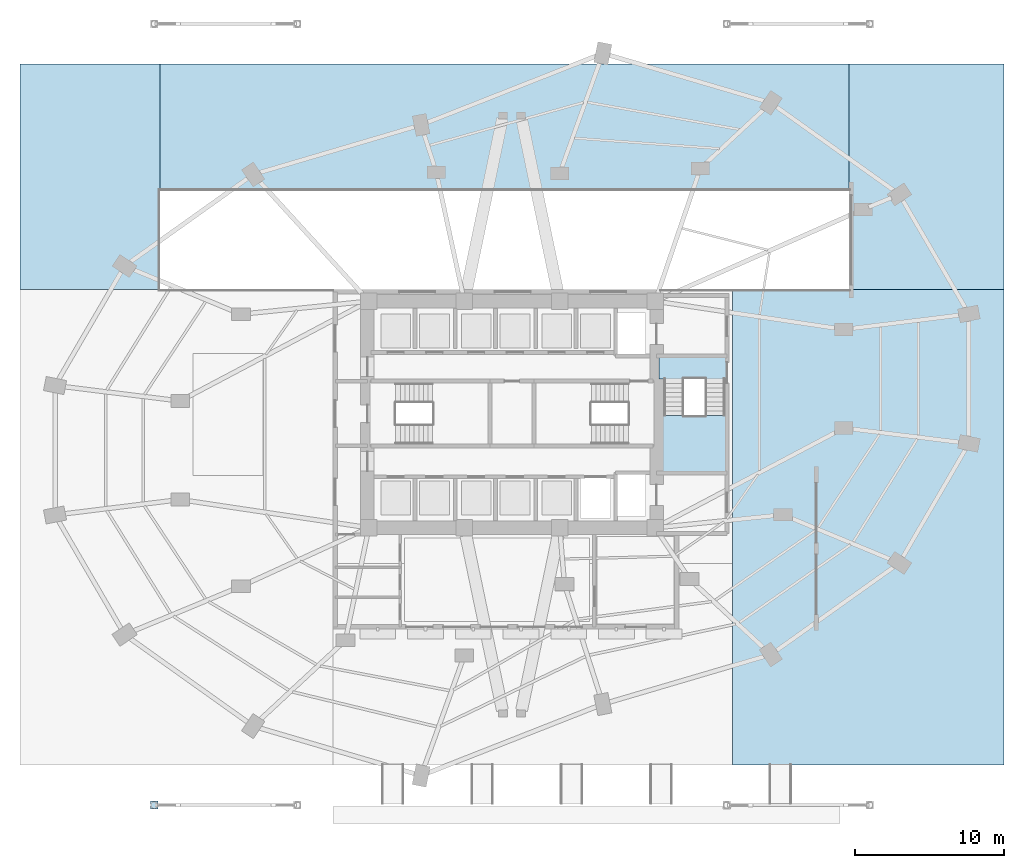
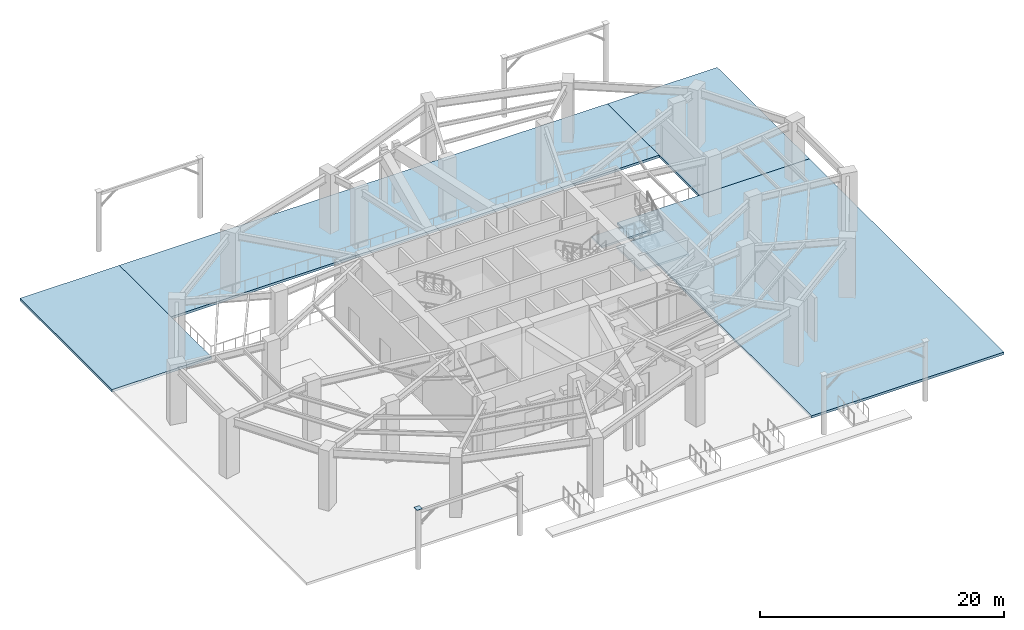
# One storey, part 7 of 14: 6 slabs, 1 plate, 1 element without a shape of its own.
"""IFC4 building model written with IfcOpenShell, lengths in metres."""

from ifc_helpers import new_model, si_unit, direction, frame, origin, origin_2d, place, context, subcontext, project, spatial, polyline, rectangle, outline, extrude, material, layer, layer_set, type_object, element, aggregate, save


model = new_model("IFC4")

# Units and contexts
model_context = context("Model", 3, precision=1e-05, world=origin(), true_north=direction((0.0, 1.0)))
body_context = subcontext(model_context, "Body", "Model", "MODEL_VIEW")
ifc_project = project(units=[si_unit("LENGTHUNIT", "METRE"), si_unit("AREAUNIT", "SQUARE_METRE"), si_unit("VOLUMEUNIT", "CUBIC_METRE"), si_unit("PLANEANGLEUNIT", "RADIAN"), si_unit("MASSUNIT", "GRAM", prefix="KILO")], contexts=[model_context])

# Site, building, storey
site_placement = place(None, origin())
site = spatial("IfcSite", under=ifc_project, at=site_placement, CompositionType="ELEMENT")
building_placement = place(site_placement, origin())
building = spatial("IfcBuilding", under=site, at=building_placement, Name="Lazwardi Medical Tower", CompositionType="ELEMENT")
storey_placement = place(building_placement, origin())
storey = spatial("IfcBuildingStorey", under=building, at=storey_placement, Name="L00", CompositionType="ELEMENT", Elevation=0.0)

# Plate
ifc_material_1 = material(Name="Steel S355", Category="steel")
ifc_layer_1 = layer(ifc_material_1, 0.031982421875)
ifc_layer_set_1 = layer_set([ifc_layer_1], Name="Steel S355")
plate_type = type_object("IfcPlateType", Name="PLT-GUS-02", PredefinedType="USERDEFINED", material=ifc_layer_set_1)
plate_placement = place(storey_placement, frame((12.0, 1.800048828125, 5.9677734375), z_axis=(0.0, 0.0, 1.0), x_axis=(1.0, 0.0, 0.0)))
element("IfcPlate", 1, at=plate_placement, inside=storey, type_object=plate_type, Name="Entrance canopy column cap plate GP-02 CN1", ObjectType="GUSSET_PLATE", PredefinedType="USERDEFINED", context=body_context, shape_type="SweptSolid", body=[
    extrude(rectangle(XDim=0.52001953125, YDim=0.52001953125, at=origin_2d()), origin(), (0.0, 0.0, 1.0), 0.031982421875),
])

# Stair, slabs
ifc_material_2 = material(Name="Concrete C45/55", Category="concrete")
stair_type = type_object("IfcStairType", Name="STR-L00", PredefinedType="HALF_TURN_STAIR", material=ifc_material_2)
stair_placement = place(storey_placement, origin())
stair = element("IfcStair", 2, at=stair_placement, inside=storey, type_object=stair_type, Name="L00 Protected Exit Stair ST3", PredefinedType="HALF_TURN_STAIR")
ifc_layer_2 = layer(ifc_material_2, 0.199951171875)
ifc_layer_set_2 = layer_set([ifc_layer_2], Name="Concrete C45/55")
slab_type_1 = type_object("IfcSlabType", Name="SLB-LND-190", PredefinedType="LANDING", material=ifc_layer_set_2)
slab_1_placement = place(storey_placement, frame((0.0, 0.0, 2.800048828125)))
slab_1 = element("IfcSlab", 3, at=slab_1_placement, type_object=slab_type_1, Name="ST3 landing 2", PredefinedType="LANDING", context=body_context, shape_type="SweptSolid", body=[
    extrude(outline(polyline([(45.860107421875, 32.02001953125), (45.860107421875, 30.375), (50.4599609375, 30.375), (50.4599609375, 32.02001953125), (45.860107421875, 32.02001953125)])), origin(), (0.0, 0.0, 1.0), 0.199951171875),
])
slab_2_placement = place(storey_placement, frame((0.0, 0.0, 4.300048828125)))
slab_2 = element("IfcSlab", 4, at=slab_2_placement, type_object=slab_type_1, Name="ST3 landing 3", PredefinedType="LANDING", context=body_context, shape_type="SweptSolid", body=[
    extrude(outline(polyline([(45.860107421875, 27.945068359375), (45.860107421875, 24.02001953125), (50.4599609375, 24.02001953125), (50.4599609375, 27.945068359375), (45.860107421875, 27.945068359375)])), origin(), (0.0, 0.0, 1.0), 0.199951171875),
])
aggregate(stair, [slab_1, slab_2])

# Slabs
ifc_material_3 = material(Name="Precast Concrete C35/45 granite paving", Category="masonry")
ifc_layer_3 = layer(ifc_material_3, 0.239990234375)
ifc_layer_set_3 = layer_set([ifc_layer_3], Name="Precast Concrete C35/45 granite paving")
slab_type_2 = type_object("IfcSlabType", Name="SLB-PAV-240", PredefinedType="USERDEFINED", material=ifc_layer_set_3)
slab_3_placement = place(storey_placement, frame((0.0, 0.0, -0.239990234375)))
element("IfcSlab", 5, at=slab_3_placement, inside=storey, type_object=slab_type_2, Name="L00 Tropical Plaza Paving NW 1", ObjectType="PAVING", PredefinedType="USERDEFINED", context=body_context, shape_type="SweptSolid", body=[
    extrude(outline(polyline([(12.39990234375, 43.0), (12.39990234375, 51.5), (3.0, 51.5), (3.0, 36.39990234375), (12.39990234375, 36.39990234375), (12.39990234375, 43.0)])), origin(), (0.0, 0.0, 1.0), 0.239990234375),
])
slab_4_placement = place(storey_placement, frame((0.0, 0.0, -0.239990234375)))
element("IfcSlab", 6, at=slab_4_placement, inside=storey, type_object=slab_type_2, Name="L00 Tropical Plaza Paving NORTH 1", ObjectType="PAVING", PredefinedType="USERDEFINED", context=body_context, shape_type="SweptSolid", body=[
    extrude(outline(polyline([(12.39990234375, 43.0), (58.60009765625, 43.0), (58.60009765625, 51.5), (12.39990234375, 51.5), (12.39990234375, 43.0)])), origin(), (0.0, 0.0, 1.0), 0.239990234375),
])
slab_5_placement = place(storey_placement, frame((0.0, 0.0, -0.239990234375)))
element("IfcSlab", 7, at=slab_5_placement, inside=storey, type_object=slab_type_2, Name="L00 Tropical Plaza Paving SE 1", ObjectType="PAVING", PredefinedType="USERDEFINED", context=body_context, shape_type="SweptSolid", body=[
    extrude(outline(polyline([(58.60009765625, 36.39990234375), (50.800048828125, 36.39990234375), (50.800048828125, 36.3798828125), (50.800048828125, 18.0), (50.800048828125, 4.5), (69.0, 4.5), (69.0, 36.39990234375), (58.60009765625, 36.39990234375)])), origin(), (0.0, 0.0, 1.0), 0.239990234375),
])
slab_6_placement = place(storey_placement, frame((0.0, 0.0, -0.239990234375)))
element("IfcSlab", 8, at=slab_6_placement, inside=storey, type_object=slab_type_2, Name="L00 Tropical Plaza Paving EAST_APRON 1", ObjectType="PAVING", PredefinedType="USERDEFINED", context=body_context, shape_type="SweptSolid", body=[
    extrude(outline(polyline([(58.60009765625, 43.0), (58.60009765625, 36.39990234375), (69.0, 36.39990234375), (69.0, 51.5), (58.60009765625, 51.5), (58.60009765625, 43.0)])), origin(), (0.0, 0.0, 1.0), 0.239990234375),
])

save(model, "model.ifc")
